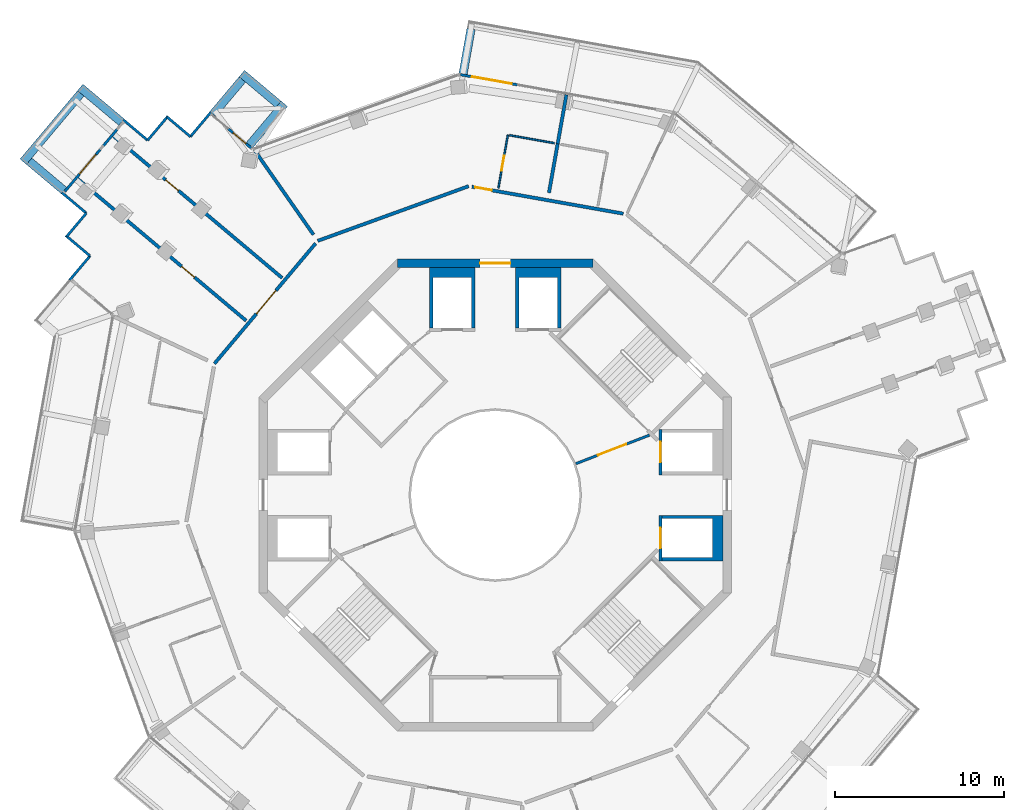
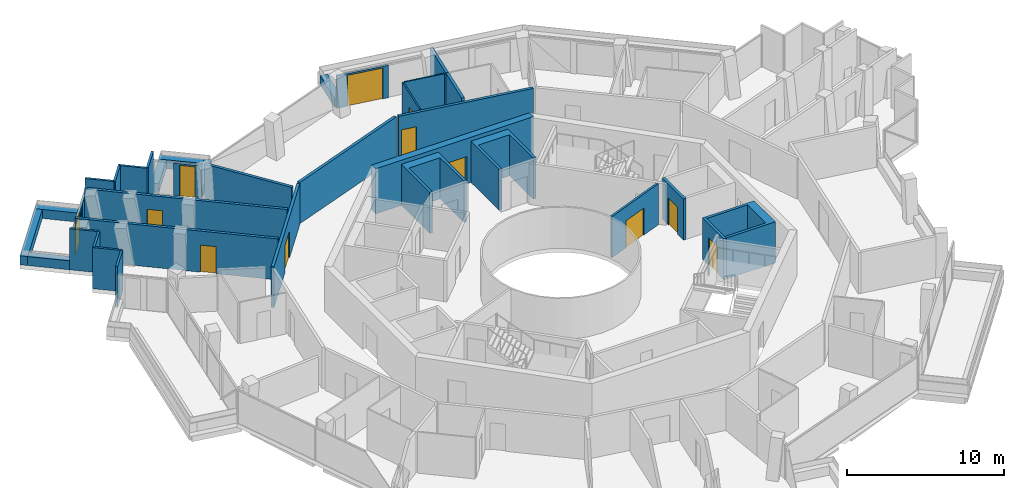
# One storey, part 17 of 22: 36 walls, 12 doors, 12 openings.
"""IFC4 building model written with IfcOpenShell, lengths in metres."""

from ifc_helpers import new_model, si_unit, direction, frame, frame_2d, origin, place, context, subcontext, project, spatial, polyline, rectangle, outline, extrude, material, layer, layer_set, type_object, element, fill, save


model = new_model("IFC4")

# Units and contexts
model_context = context("Model", 3, precision=1e-05, world=origin(), true_north=direction((0.0, 1.0)))
body_context = subcontext(model_context, "Body", "Model", "MODEL_VIEW")
ifc_project = project(units=[si_unit("LENGTHUNIT", "METRE"), si_unit("AREAUNIT", "SQUARE_METRE"), si_unit("VOLUMEUNIT", "CUBIC_METRE"), si_unit("PLANEANGLEUNIT", "RADIAN"), si_unit("MASSUNIT", "GRAM", prefix="KILO")], contexts=[model_context])

# Site, building, storey
site_placement = place(None, origin())
site = spatial("IfcSite", under=ifc_project, at=site_placement, CompositionType="ELEMENT")
building_placement = place(site_placement, origin())
building = spatial("IfcBuilding", under=site, at=building_placement, Name="Verdalira Terraces Hotel", CompositionType="ELEMENT")
storey_placement = place(building_placement, frame((0.0, 0.0, 237.5)))
storey = spatial("IfcBuildingStorey", under=building, at=storey_placement, Name="L58", CompositionType="ELEMENT", Elevation=237.5)

# Walls
ifc_material_1 = material(Name="Concrete C40", Category="concrete")
ifc_layer_1 = layer(ifc_material_1, 0.5)
ifc_layer_set_1 = layer_set([ifc_layer_1], Name="Balcony planter trough with tree")
wall_type_1 = type_object("IfcWallType", Name="Balcony planter trough with tree", PredefinedType="SOLIDWALL", material=ifc_layer_set_1)
wall_1_placement = place(storey_placement, frame((-22.163086, 22.113037, 0.0), z_axis=(0.0, 0.0, 1.0), x_axis=(-0.765103138, 0.643907748, 0.0)))
element("IfcWall", 1, at=wall_1_placement, inside=storey, type_object=wall_type_1, Name="Balcony planter", PredefinedType="SOLIDWALL", context=body_context, shape_type="SweptSolid", body=[
    extrude(rectangle(XDim=3.198975, YDim=0.5, at=frame_2d((1.599609, 0.0))), origin(), (0.0, 0.0, 1.0), 0.699951),
])
wall_2_placement = place(storey_placement, frame((-24.580322, 23.820557, 0.0), z_axis=(0.0, 0.0, 1.0), x_axis=(-0.643856249, -0.765146476, 0.0)))
element("IfcWall", 2, at=wall_2_placement, inside=storey, type_object=wall_type_1, Name="Balcony planter", PredefinedType="SOLIDWALL", context=body_context, shape_type="SweptSolid", body=[
    extrude(rectangle(XDim=5.299805, YDim=0.5, at=frame_2d((2.649902, 0.0))), origin(), (0.0, 0.0, 1.0), 0.699951),
])
wall_3_placement = place(storey_placement, frame((-27.640625, 19.795654, 0.0), z_axis=(0.0, 0.0, 1.0), x_axis=(0.765150401, -0.643851585, 0.0)))
element("IfcWall", 3, at=wall_3_placement, inside=storey, type_object=wall_type_1, Name="Balcony planter", PredefinedType="SOLIDWALL", context=body_context, shape_type="SweptSolid", body=[
    extrude(rectangle(XDim=2.698975, YDim=0.5, at=frame_2d((1.349609, 0.0))), origin(), (0.0, 0.0, 1.0), 0.699951),
])
wall_4_placement = place(storey_placement, frame((-1.435303, 27.635986, 0.0), z_axis=(0.0, 0.0, 1.0), x_axis=(-0.174951491, -0.984577054, 0.0)))
element("IfcWall", 4, at=wall_4_placement, inside=storey, type_object=wall_type_1, Name="Balcony planter", PredefinedType="SOLIDWALL", context=body_context, shape_type="SweptSolid", body=[
    extrude(rectangle(XDim=2.69873, YDim=0.5, at=frame_2d((1.349365, 0.0))), origin(), (0.0, 0.0, 1.0), 0.699951),
])
wall_5_placement = place(storey_placement, frame((-14.56665, 20.75415, 0.0), z_axis=(0.0, 0.0, 1.0), x_axis=(0.643863069, 0.765140738, 0.0)))
element("IfcWall", 5, at=wall_5_placement, inside=storey, type_object=wall_type_1, Name="Balcony planter", PredefinedType="SOLIDWALL", context=body_context, shape_type="SweptSolid", body=[
    extrude(rectangle(XDim=3.19873, YDim=0.5, at=frame_2d((1.599365, 0.0))), origin(), (0.0, 0.0, 1.0), 0.699951),
])
wall_6_placement = place(storey_placement, frame((-12.859375, 23.171387, 0.0), z_axis=(0.0, 0.0, 1.0), x_axis=(-0.765143293, 0.643860033, 0.0)))
element("IfcWall", 6, at=wall_6_placement, inside=storey, type_object=wall_type_1, Name="Balcony planter", PredefinedType="SOLIDWALL", context=body_context, shape_type="SweptSolid", body=[
    extrude(rectangle(XDim=2.836182, YDim=0.5, at=frame_2d((1.417969, 0.0))), origin(), (0.0, 0.0, 1.0), 0.699951),
])
wall_7_placement = place(storey_placement, frame((-14.999023, 24.645264, 0.0), z_axis=(0.0, 0.0, 1.0), x_axis=(-0.643896148, -0.7651129, 0.0)))
element("IfcWall", 7, at=wall_7_placement, inside=storey, type_object=wall_type_1, Name="Balcony planter", PredefinedType="SOLIDWALL", context=body_context, shape_type="SweptSolid", body=[
    extrude(rectangle(XDim=2.698975, YDim=0.5, at=frame_2d((1.349609, 0.0))), origin(), (0.0, 0.0, 1.0), 0.699951),
])

# Wall, opening, door
ifc_material_2 = material(Name="Moisture-resistant gypsum board partition")
ifc_layer_2 = layer(ifc_material_2, 0.10009765625)
ifc_layer_set_2 = layer_set([ifc_layer_2], Name="Bathroom partition 100 mm")
wall_type_2 = type_object("IfcWallType", Name="Bathroom partition 100 mm", PredefinedType="PARTITIONING", material=ifc_layer_set_2)
wall_8_placement = place(storey_placement, frame((0.749512, 21.356689, 0.0), z_axis=(0.0, 0.0, 1.0), x_axis=(-0.175030048, -0.984563092, 0.0)))
wall_8 = element("IfcWall", 8, at=wall_8_placement, inside=storey, type_object=wall_type_2, Name="Bathroom partition", PredefinedType="PARTITIONING", context=body_context, shape_type="SweptSolid", body=[
    extrude(rectangle(XDim=3.199707, YDim=0.100098, at=frame_2d((1.599854, 0.0))), origin(), (0.0, 0.0, 1.0), 3.189941),
])
opening_1_placement = place(wall_8_placement, frame((1.25, 0.0, 0.0)))
opening_1 = element("IfcOpeningElement", 9, at=opening_1_placement, cuts=wall_8, Name="Opening L58-128", PredefinedType="OPENING", context=body_context, shape_type="SweptSolid", body=[
    extrude(rectangle(XDim=0.899902, YDim=2.100098, at=frame_2d((0.449951, 1.050049))), frame((0.0, 0.060059, 0.0), z_axis=(0.0, -1.0, 0.0), x_axis=(1.0, 0.0, 0.0)), (0.0, 0.0, 1.0), 0.120117),
])
ifc_material_3 = material(Name="Timber door", Category="wood")
door_type_1 = type_object("IfcDoorType", Name="Bathroom door 900 x 2100", OperationType="NOTDEFINED", PredefinedType="DOOR", material=ifc_material_3)
door_1_placement = place(opening_1_placement, origin())
door_1 = element("IfcDoor", 10, at=door_1_placement, inside=storey, type_object=door_type_1, Name="Bathroom door 5810", OperationType="SINGLE_SWING_LEFT", OverallHeight=2.10009765625, OverallWidth=0.89990234375, PredefinedType="DOOR", context=body_context, shape_type="SweptSolid", body=[
    extrude(rectangle(XDim=0.899902, YDim=2.100098, at=frame_2d((0.449951, 1.050049))), frame((0.0, 0.024902, 0.0), z_axis=(0.0, -1.0, 0.0), x_axis=(1.0, 0.0, 0.0)), (0.0, 0.0, 1.0), 0.050049),
])
fill(opening_1, door_1)

# Walls
wall_9_placement = place(storey_placement, frame((0.8479, 21.339355, 0.0), z_axis=(0.0, 0.0, 1.0), x_axis=(0.984559738, -0.175048917, 0.0)))
element("IfcWall", 11, at=wall_9_placement, inside=storey, type_object=wall_type_2, Name="Bathroom partition", PredefinedType="PARTITIONING", context=body_context, shape_type="SweptSolid", body=[
    extrude(rectangle(XDim=2.700195, YDim=0.100098, at=frame_2d((1.350098, 0.0))), origin(), (0.0, 0.0, 1.0), 3.189941),
])
ifc_material_4 = material(Name="Concrete C50", Category="concrete")
ifc_layer_3 = layer(ifc_material_4, 0.199951171875)
ifc_layer_set_3 = layer_set([ifc_layer_3], Name="Core RC wall 200 C50")
wall_type_3 = type_object("IfcWallType", Name="Core RC wall 200 C50", PredefinedType="SOLIDWALL", material=ifc_layer_set_3)
wall_10_placement = place(storey_placement, origin())
element("IfcWall", 12, at=wall_10_placement, inside=storey, type_object=wall_type_3, Name="L58 shaft wall E1", PredefinedType="SOLIDWALL", context=body_context, shape_type="SweptSolid", body=[
    extrude(outline(polyline([(13.5, -3.899902), (9.899902, -3.899902), (9.899902, -3.699951), (12.899902, -3.699951), (12.899902, -1.399902), (9.899902, -1.399902), (9.899902, -1.199951), (13.5, -1.199951), (13.5, -3.899902)])), origin(), (0.0, 0.0, 1.0), 3.189941),
])

# Wall, opening, door
wall_11_placement = place(storey_placement, frame((9.800049, -1.199951, 0.0), z_axis=(0.0, 0.0, 1.0), x_axis=(0.0, -1.0, 0.0)))
wall_11 = element("IfcWall", 13, at=wall_11_placement, inside=storey, type_object=wall_type_3, Name="L58 shaft front wall E1", PredefinedType="SOLIDWALL", context=body_context, shape_type="SweptSolid", body=[
    extrude(rectangle(XDim=2.699951, YDim=0.199951, at=frame_2d((1.350098, 0.0))), origin(), (0.0, 0.0, 1.0), 3.189941),
])
opening_2_placement = place(wall_11_placement, frame((0.75, 0.0, 0.0)))
opening_2 = element("IfcOpeningElement", 14, at=opening_2_placement, cuts=wall_11, Name="Opening LD-L58-802", PredefinedType="OPENING", context=body_context, shape_type="SweptSolid", body=[
    extrude(rectangle(XDim=1.199951, YDim=2.100098, at=frame_2d((0.600098, 1.050049))), frame((0.0, 0.109863, 0.0), z_axis=(0.0, -1.0, 0.0), x_axis=(1.0, 0.0, 0.0)), (0.0, 0.0, 1.0), 0.219971),
])
ifc_material_5 = material(Name="Stainless steel", Category="steel")
door_type_2 = type_object("IfcDoorType", Name="Landing door 1200 x 2100", OperationType="NOTDEFINED", PredefinedType="DOOR", material=ifc_material_5)
door_2_placement = place(opening_2_placement, origin())
door_2 = element("IfcDoor", 15, at=door_2_placement, inside=storey, type_object=door_type_2, Name="Lift landing door HR1 L58", OperationType="DOUBLE_DOOR_SLIDING", OverallHeight=2.10009765625, OverallWidth=1.199951171875, PredefinedType="DOOR", context=body_context, shape_type="SweptSolid", body=[
    extrude(rectangle(XDim=1.199951, YDim=2.100098, at=frame_2d((0.600098, 1.050049))), frame((0.0, 0.024902, 0.0), z_axis=(0.0, -1.0, 0.0), x_axis=(1.0, 0.0, 0.0)), (0.0, 0.0, 1.0), 0.050049),
])
fill(opening_2, door_2)

wall_12_placement = place(storey_placement, frame((9.800049, 1.199951, 0.0), z_axis=(0.0, 0.0, 1.0), x_axis=(0.0, 1.0, 0.0)))
wall_12 = element("IfcWall", 16, at=wall_12_placement, inside=storey, type_object=wall_type_3, Name="L58 shaft front wall E2", PredefinedType="SOLIDWALL", context=body_context, shape_type="SweptSolid", body=[
    extrude(rectangle(XDim=2.699951, YDim=0.199951, at=frame_2d((1.350098, 0.0))), origin(), (0.0, 0.0, 1.0), 3.189941),
])
opening_3_placement = place(wall_12_placement, frame((0.75, 0.0, 0.0)))
opening_3 = element("IfcOpeningElement", 17, at=opening_3_placement, cuts=wall_12, Name="Opening LD-L58-803", PredefinedType="OPENING", context=body_context, shape_type="SweptSolid", body=[
    extrude(rectangle(XDim=1.199951, YDim=2.100098, at=frame_2d((0.600098, 1.050049))), frame((0.0, 0.109863, 0.0), z_axis=(0.0, -1.0, 0.0), x_axis=(1.0, 0.0, 0.0)), (0.0, 0.0, 1.0), 0.219971),
])
door_3_placement = place(opening_3_placement, origin())
door_3 = element("IfcDoor", 18, at=door_3_placement, inside=storey, type_object=door_type_2, Name="Lift landing door HR2 L58", OperationType="DOUBLE_DOOR_SLIDING", OverallHeight=2.10009765625, OverallWidth=1.199951171875, PredefinedType="DOOR", context=body_context, shape_type="SweptSolid", body=[
    extrude(rectangle(XDim=1.199951, YDim=2.100098, at=frame_2d((0.600098, 1.050049))), frame((0.0, 0.024902, 0.0), z_axis=(0.0, -1.0, 0.0), x_axis=(1.0, 0.0, 0.0)), (0.0, 0.0, 1.0), 0.050049),
])
fill(opening_3, door_3)

# Walls
wall_13_placement = place(storey_placement, origin())
element("IfcWall", 19, at=wall_13_placement, inside=storey, type_object=wall_type_3, Name="L58 shaft wall N1", PredefinedType="SOLIDWALL", context=body_context, shape_type="SweptSolid", body=[
    extrude(outline(polyline([(3.899902, 9.899902), (3.699951, 9.899902), (3.699951, 12.899902), (1.399902, 12.899902), (1.399902, 9.899902), (1.199951, 9.899902), (1.199951, 13.5), (3.899902, 13.5), (3.899902, 9.899902)])), origin(), (0.0, 0.0, 1.0), 3.189941),
])
wall_14_placement = place(storey_placement, origin())
element("IfcWall", 20, at=wall_14_placement, inside=storey, type_object=wall_type_3, Name="L58 shaft wall N2", PredefinedType="SOLIDWALL", context=body_context, shape_type="SweptSolid", body=[
    extrude(outline(polyline([(-3.899902, 13.5), (-1.199951, 13.5), (-1.199951, 9.899902), (-1.399902, 9.899902), (-1.399902, 12.899902), (-3.699951, 12.899902), (-3.699951, 9.899902), (-3.899902, 9.899902), (-3.899902, 13.5)])), origin(), (0.0, 0.0, 1.0), 3.189941),
])

# Wall, opening, door
ifc_material_6 = material(Name="Gypsum board partition")
ifc_layer_4 = layer(ifc_material_6, 0.14990234375)
ifc_layer_set_4 = layer_set([ifc_layer_4], Name="Core partition 150 mm")
wall_type_4 = type_object("IfcWallType", Name="Core partition 150 mm", PredefinedType="PARTITIONING", material=ifc_layer_set_4)
wall_15_placement = place(storey_placement, frame((4.781982, 1.857178, 0.0), z_axis=(0.0, 0.0, 1.0), x_axis=(0.932155279, 0.362058746, 0.0)))
wall_15 = element("IfcWall", 21, at=wall_15_placement, inside=storey, type_object=wall_type_4, Name="Gallery fire partition L58", PredefinedType="PARTITIONING", context=body_context, shape_type="SweptSolid", body=[
    extrude(rectangle(XDim=4.682373, YDim=0.149902, at=frame_2d((2.341309, 0.0))), origin(), (0.0, 0.0, 1.0), 3.189941),
])
opening_4_placement = place(wall_15_placement, frame((1.399902, 0.0, 0.0)))
opening_4 = element("IfcOpeningElement", 22, at=opening_4_placement, cuts=wall_15, Name="Opening L58-824", PredefinedType="OPENING", context=body_context, shape_type="SweptSolid", body=[
    extrude(rectangle(XDim=1.800049, YDim=2.100098, at=frame_2d((0.899902, 1.050049))), frame((0.0, 0.084961, 0.0), z_axis=(0.0, -1.0, 0.0), x_axis=(1.0, 0.0, 0.0)), (0.0, 0.0, 1.0), 0.169922),
])
ifc_material_7 = material(Name="Steel fire door", Category="steel")
door_type_3 = type_object("IfcDoorType", Name="Gallery fire door pair 1800 x 2100", OperationType="NOTDEFINED", PredefinedType="DOOR", material=ifc_material_7)
door_4_placement = place(opening_4_placement, origin())
door_4 = element("IfcDoor", 23, at=door_4_placement, inside=storey, type_object=door_type_3, Name="Door L58 split0", OperationType="DOUBLE_DOOR_SINGLE_SWING", OverallHeight=2.10009765625, OverallWidth=1.800048828125, PredefinedType="DOOR", context=body_context, shape_type="SweptSolid", body=[
    extrude(rectangle(XDim=1.800049, YDim=2.100098, at=frame_2d((0.899902, 1.050049))), frame((0.0, 0.024902, 0.0), z_axis=(0.0, -1.0, 0.0), x_axis=(1.0, 0.0, 0.0)), (0.0, 0.0, 1.0), 0.050049),
])
fill(opening_4, door_4)

ifc_material_8 = material(Name="Concrete C50", Category="concrete")
ifc_layer_5 = layer(ifc_material_8, 0.5)
ifc_layer_set_5 = layer_set([ifc_layer_5], Name="Core wall 500 C50")
wall_type_5 = type_object("IfcWallType", Name="Core wall 500 C50", PredefinedType="SHEAR", material=ifc_layer_set_5)
wall_16_placement = place(storey_placement, frame((5.799072, 13.75, 0.0), z_axis=(0.0, 0.0, 1.0), x_axis=(-1.0, 0.0, 0.0)))
wall_16 = element("IfcWall", 24, at=wall_16_placement, inside=storey, type_object=wall_type_5, Name="Core wall CW-L58-3", PredefinedType="SHEAR", context=body_context, shape_type="SweptSolid", body=[
    extrude(rectangle(XDim=11.598145, YDim=0.5, at=frame_2d((5.799072, 0.0))), origin(), (0.0, 0.0, 1.0), 3.5),
])
opening_5_placement = place(wall_16_placement, frame((4.898926, 0.0, 0.0)))
opening_5 = element("IfcOpeningElement", 25, at=opening_5_placement, cuts=wall_16, Name="Opening L58-814", PredefinedType="OPENING", context=body_context, shape_type="SweptSolid", body=[
    extrude(rectangle(XDim=1.800049, YDim=2.100098, at=frame_2d((0.899902, 1.050049))), frame((0.0, 0.26001, 0.0), z_axis=(0.0, -1.0, 0.0), x_axis=(1.0, 0.0, 0.0)), (0.0, 0.0, 1.0), 0.52002),
])
ifc_material_9 = material(Name="Steel fire door", Category="steel")
door_type_4 = type_object("IfcDoorType", Name="Core entry door pair 1800 x 2100", OperationType="NOTDEFINED", PredefinedType="DOOR", material=ifc_material_9)
door_5_placement = place(opening_5_placement, origin())
door_5 = element("IfcDoor", 26, at=door_5_placement, inside=storey, type_object=door_type_4, Name="Core entry door L58 2", OperationType="DOUBLE_DOOR_SINGLE_SWING", OverallHeight=2.10009765625, OverallWidth=1.800048828125, PredefinedType="DOOR", context=body_context, shape_type="SweptSolid", body=[
    extrude(rectangle(XDim=1.800049, YDim=2.100098, at=frame_2d((0.899902, 1.050049))), frame((0.0, 0.024902, 0.0), z_axis=(0.0, -1.0, 0.0), x_axis=(1.0, 0.0, 0.0)), (0.0, 0.0, 1.0), 0.050049),
])
fill(opening_5, door_5)

ifc_material_10 = material(Name="Fire-rated gypsum board wall")
ifc_layer_6 = layer(ifc_material_10, 0.199951171875)
ifc_layer_set_6 = layer_set([ifc_layer_6], Name="Demising wall 200 mm")
wall_type_6 = type_object("IfcWallType", Name="Demising wall 200 mm", PredefinedType="SOLIDWALL", material=ifc_layer_set_6)
wall_17_placement = place(storey_placement, frame((-14.770996, 10.338379, 0.0), z_axis=(0.0, 0.0, 1.0), x_axis=(-0.765135633, 0.643869135, 0.0)))
wall_17 = element("IfcWall", 27, at=wall_17_placement, inside=storey, type_object=wall_type_6, Name="Demising wall", PredefinedType="SOLIDWALL", context=body_context, shape_type="SweptSolid", body=[
    extrude(rectangle(XDim=13.086182, YDim=0.199951, at=frame_2d((6.542969, 0.0))), origin(), (0.0, 0.0, 1.0), 3.189941),
])
opening_6_placement = place(wall_17_placement, frame((4.0, 0.0, 0.0)))
opening_6 = element("IfcOpeningElement", 28, at=opening_6_placement, cuts=wall_17, Name="Opening L58-103", PredefinedType="OPENING", context=body_context, shape_type="SweptSolid", body=[
    extrude(rectangle(XDim=1.0, YDim=2.100098, at=frame_2d((0.5, 1.050049))), frame((0.0, 0.109863, 0.0), z_axis=(0.0, -1.0, 0.0), x_axis=(1.0, 0.0, 0.0)), (0.0, 0.0, 1.0), 0.219971),
])
ifc_material_11 = material(Name="Timber fire door", Category="wood")
door_type_5 = type_object("IfcDoorType", Name="Public room door 1000 x 2100", OperationType="NOTDEFINED", PredefinedType="DOOR", material=ifc_material_11)
door_6_placement = place(opening_6_placement, origin())
door_6 = element("IfcDoor", 29, at=door_6_placement, inside=storey, type_object=door_type_5, Name="Public room door 5801", OperationType="SINGLE_SWING_LEFT", OverallHeight=2.10009765625, OverallWidth=1.0, PredefinedType="DOOR", context=body_context, shape_type="SweptSolid", body=[
    extrude(rectangle(XDim=1.0, YDim=2.100098, at=frame_2d((0.5, 1.050049))), frame((0.0, 0.024902, 0.0), z_axis=(0.0, -1.0, 0.0), x_axis=(1.0, 0.0, 0.0)), (0.0, 0.0, 1.0), 0.050049),
])
fill(opening_6, door_6)

wall_18_placement = place(storey_placement, frame((-22.649658, 21.300293, 0.0), z_axis=(0.0, 0.0, 1.0), x_axis=(0.765152558, -0.643849022, 0.0)))
wall_18 = element("IfcWall", 30, at=wall_18_placement, inside=storey, type_object=wall_type_6, Name="Demising wall", PredefinedType="SOLIDWALL", context=body_context, shape_type="SweptSolid", body=[
    extrude(rectangle(XDim=13.086182, YDim=0.199951, at=frame_2d((6.542969, 0.0))), origin(), (0.0, 0.0, 1.0), 3.189941),
])
opening_7_placement = place(wall_18_placement, frame((4.050049, 0.0, 0.0)))
opening_7 = element("IfcOpeningElement", 31, at=opening_7_placement, cuts=wall_18, Name="Opening L58-102", PredefinedType="OPENING", context=body_context, shape_type="SweptSolid", body=[
    extrude(rectangle(XDim=1.0, YDim=2.100098, at=frame_2d((0.5, 1.050049))), frame((0.0, 0.109863, 0.0), z_axis=(0.0, -1.0, 0.0), x_axis=(1.0, 0.0, 0.0)), (0.0, 0.0, 1.0), 0.219971),
])
door_7_placement = place(opening_7_placement, origin())
door_7 = element("IfcDoor", 32, at=door_7_placement, inside=storey, type_object=door_type_5, Name="Public room door 5801", OperationType="SINGLE_SWING_LEFT", OverallHeight=2.10009765625, OverallWidth=1.0, PredefinedType="DOOR", context=body_context, shape_type="SweptSolid", body=[
    extrude(rectangle(XDim=1.0, YDim=2.100098, at=frame_2d((0.5, 1.050049))), frame((0.0, 0.024902, 0.0), z_axis=(0.0, -1.0, 0.0), x_axis=(1.0, 0.0, 0.0)), (0.0, 0.0, 1.0), 0.050049),
])
fill(opening_7, door_7)

# Walls
wall_19_placement = place(storey_placement, frame((3.186279, 17.924561, 0.0), z_axis=(0.0, 0.0, 1.0), x_axis=(0.175035116, 0.984562191, 0.0)))
element("IfcWall", 33, at=wall_19_placement, inside=storey, type_object=wall_type_6, Name="Demising wall", PredefinedType="SOLIDWALL", context=body_context, shape_type="SweptSolid", body=[
    extrude(rectangle(XDim=2.952881, YDim=0.199951, at=frame_2d((1.476562, 0.0))), origin(), (0.0, 0.0, 1.0), 3.189941),
])
wall_20_placement = place(storey_placement, frame((3.703125, 20.831787, 0.0), z_axis=(0.0, 0.0, 1.0), x_axis=(0.175045815, 0.984560289, 0.0)))
element("IfcWall", 34, at=wall_20_placement, inside=storey, type_object=wall_type_6, Name="Demising wall", PredefinedType="SOLIDWALL", context=body_context, shape_type="SweptSolid", body=[
    extrude(rectangle(XDim=2.949951, YDim=0.199951, at=frame_2d((1.475098, 0.0))), origin(), (0.0, 0.0, 1.0), 3.189941),
])
ifc_material_12 = material(Name="Fire-rated gypsum board wall")
ifc_layer_7 = layer(ifc_material_12, 0.199951171875)
ifc_layer_set_7 = layer_set([ifc_layer_7], Name="Demising wall 200 mm to beam soffit")
wall_type_7 = type_object("IfcWallType", Name="Demising wall 200 mm to beam soffit", PredefinedType="SOLIDWALL", material=ifc_layer_set_7)
wall_21_placement = place(storey_placement, frame((-14.290283, 20.469238, 0.0), z_axis=(0.0, 0.0, 1.0), x_axis=(0.572451851, -0.819938338, 0.0)))
element("IfcWall", 35, at=wall_21_placement, inside=storey, type_object=wall_type_7, Name="Demising wall", PredefinedType="SOLIDWALL", context=body_context, shape_type="SweptSolid", body=[
    extrude(rectangle(XDim=6.13208, YDim=0.199951, at=frame_2d((3.065918, 0.0))), origin(), (0.0, 0.0, 1.0), 2.689941),
])

# Wall, opening, door
ifc_material_13 = material(Name="Fire-rated gypsum board wall")
ifc_layer_8 = layer(ifc_material_13, 0.199951171875)
ifc_layer_set_8 = layer_set([ifc_layer_8], Name="Guest corridor wall 200 mm")
wall_type_8 = type_object("IfcWallType", Name="Guest corridor wall 200 mm", PredefinedType="SOLIDWALL", material=ifc_layer_set_8)
wall_22_placement = place(storey_placement, frame((-16.651367, 7.792969, 0.0), z_axis=(0.0, 0.0, 1.0), x_axis=(0.64385004, 0.765151702, 0.0)))
wall_22 = element("IfcWall", 36, at=wall_22_placement, inside=storey, type_object=wall_type_8, Name="Guest corridor wall", PredefinedType="SOLIDWALL", context=body_context, shape_type="SweptSolid", body=[
    extrude(rectangle(XDim=9.31665, YDim=0.199951, at=frame_2d((4.658203, 0.0))), origin(), (0.0, 0.0, 1.0), 3.189941),
])
opening_8_placement = place(wall_22_placement, frame((3.858398, 0.0, 0.0)))
opening_8 = element("IfcOpeningElement", 37, at=opening_8_placement, cuts=wall_22, Name="Opening L58-101", PredefinedType="OPENING", context=body_context, shape_type="SweptSolid", body=[
    extrude(rectangle(XDim=1.800049, YDim=2.100098, at=frame_2d((0.899902, 1.050049))), frame((0.0, 0.109863, 0.0), z_axis=(0.0, -1.0, 0.0), x_axis=(1.0, 0.0, 0.0)), (0.0, 0.0, 1.0), 0.219971),
])
ifc_material_14 = material(Name="Timber fire door", Category="wood")
door_type_6 = type_object("IfcDoorType", Name="Public room double door 1800 x 2100", OperationType="NOTDEFINED", PredefinedType="DOOR", material=ifc_material_14)
door_8_placement = place(opening_8_placement, origin())
door_8 = element("IfcDoor", 38, at=door_8_placement, inside=storey, type_object=door_type_6, Name="Public room double door 5801", OperationType="DOUBLE_DOOR_SINGLE_SWING", OverallHeight=2.10009765625, OverallWidth=1.800048828125, PredefinedType="DOOR", context=body_context, shape_type="SweptSolid", body=[
    extrude(rectangle(XDim=1.800049, YDim=2.100098, at=frame_2d((0.899902, 1.050049))), frame((0.0, 0.024902, 0.0), z_axis=(0.0, -1.0, 0.0), x_axis=(1.0, 0.0, 0.0)), (0.0, 0.0, 1.0), 0.050049),
])
fill(opening_8, door_8)

# Wall
wall_23_placement = place(storey_placement, frame((-1.577393, 18.316895, 0.0), z_axis=(0.0, 0.0, 1.0), x_axis=(-0.940167401, -0.340712869, 0.0)))
element("IfcWall", 39, at=wall_23_placement, inside=storey, type_object=wall_type_8, Name="Guest corridor wall", PredefinedType="SOLIDWALL", context=body_context, shape_type="SweptSolid", body=[
    extrude(rectangle(XDim=9.515869, YDim=0.199951, at=frame_2d((4.757812, 0.0))), origin(), (0.0, 0.0, 1.0), 3.189941),
])

# Wall, opening, door
wall_24_placement = place(storey_placement, frame((-1.379395, 18.281982, 0.0), z_axis=(0.0, 0.0, 1.0), x_axis=(0.984561687, -0.17503795, 0.0)))
wall_24 = element("IfcWall", 40, at=wall_24_placement, inside=storey, type_object=wall_type_8, Name="Guest corridor wall", PredefinedType="SOLIDWALL", context=body_context, shape_type="SweptSolid", body=[
    extrude(rectangle(XDim=9.116211, YDim=0.199951, at=frame_2d((4.558105, 0.0))), origin(), (0.0, 0.0, 1.0), 3.189941),
])
opening_9_placement = place(wall_24_placement, frame((0.199951, 0.0, 0.0)))
opening_9 = element("IfcOpeningElement", 41, at=opening_9_placement, cuts=wall_24, Name="Opening L58-127", PredefinedType="OPENING", context=body_context, shape_type="SweptSolid", body=[
    extrude(rectangle(XDim=1.0, YDim=2.100098, at=frame_2d((0.5, 1.050049))), frame((0.0, 0.109863, 0.0), z_axis=(0.0, -1.0, 0.0), x_axis=(1.0, 0.0, 0.0)), (0.0, 0.0, 1.0), 0.219971),
])
ifc_material_15 = material(Name="Timber fire door", Category="wood")
door_type_7 = type_object("IfcDoorType", Name="Guest entry door 1000 x 2100", OperationType="NOTDEFINED", PredefinedType="DOOR", material=ifc_material_15)
door_9_placement = place(opening_9_placement, origin())
door_9 = element("IfcDoor", 42, at=door_9_placement, inside=storey, type_object=door_type_7, Name="Guest entry door 5810", OperationType="SINGLE_SWING_LEFT", OverallHeight=2.10009765625, OverallWidth=1.0, PredefinedType="DOOR", context=body_context, shape_type="SweptSolid", body=[
    extrude(rectangle(XDim=1.0, YDim=2.100098, at=frame_2d((0.5, 1.050049))), frame((0.0, 0.024902, 0.0), z_axis=(0.0, -1.0, 0.0), x_axis=(1.0, 0.0, 0.0)), (0.0, 0.0, 1.0), 0.050049),
])
fill(opening_9, door_9)

# Walls
ifc_material_16 = material(Name="Terracotta cladding", Category="masonry")
ifc_layer_9 = layer(ifc_material_16, 0.14990234375)
ifc_layer_set_9 = layer_set([ifc_layer_9], Name="Terracotta clad wall 150")
wall_type_9 = type_object("IfcWallType", Name="Terracotta clad wall 150", PredefinedType="SOLIDWALL", material=ifc_layer_set_9)
wall_25_placement = place(storey_placement, frame((-16.871338, 22.692139, 0.0), z_axis=(0.0, 0.0, 1.0), x_axis=(-0.64389112, -0.765117132, 0.0)))
element("IfcWall", 43, at=wall_25_placement, inside=storey, type_object=wall_type_9, Name="Terracotta cladding wall", PredefinedType="SOLIDWALL", context=body_context, shape_type="SweptSolid", body=[
    extrude(rectangle(XDim=1.875, YDim=0.149902, at=frame_2d((0.9375, 0.0))), origin(), (0.0, 0.0, 1.0), 3.189941),
])
wall_26_placement = place(storey_placement, frame((-18.078613, 21.257568, 0.0), z_axis=(0.0, 0.0, 1.0), x_axis=(-0.765188969, 0.643805749, 0.0)))
element("IfcWall", 44, at=wall_26_placement, inside=storey, type_object=wall_type_9, Name="Terracotta cladding wall", PredefinedType="SOLIDWALL", context=body_context, shape_type="SweptSolid", body=[
    extrude(rectangle(XDim=1.800049, YDim=0.149902, at=frame_2d((0.899902, 0.0))), origin(), (0.0, 0.0, 1.0), 3.189941),
])
wall_27_placement = place(storey_placement, frame((-19.407715, 22.473877, 0.0), z_axis=(0.0, 0.0, 1.0), x_axis=(-0.643826975, -0.765171109, 0.0)))
element("IfcWall", 45, at=wall_27_placement, inside=storey, type_object=wall_type_9, Name="Terracotta cladding wall", PredefinedType="SOLIDWALL", context=body_context, shape_type="SweptSolid", body=[
    extrude(rectangle(XDim=1.875244, YDim=0.149902, at=frame_2d((0.9375, 0.0))), origin(), (0.0, 0.0, 1.0), 3.189941),
])
for number, where, z_axis, x_axis, name in (
    (46, (-20.61499, 21.039062, 0.0), (0.0, 0.0, 1.0), (-0.765117132, 0.64389112, 0.0), "Terracotta cladding wall"),
    (47, (-25.687256, 17.92334, 0.0), (0.0, 0.0, 1.0), (0.765117132, -0.64389112, 0.0), "Terracotta cladding wall"),
):
    element("IfcWall", number, at=place(storey_placement, frame(where, z_axis=z_axis, x_axis=x_axis)), inside=storey, type_object=wall_type_9, Name=name, PredefinedType="SOLIDWALL", context=body_context, shape_type="SweptSolid", body=[
        extrude(rectangle(XDim=1.875, YDim=0.149902, at=frame_2d((0.9375, 0.0))), origin(), (0.0, 0.0, 1.0), 3.189941),
    ])
wall_28_placement = place(storey_placement, frame((-24.252686, 16.716064, 0.0), z_axis=(0.0, 0.0, 1.0), x_axis=(-0.643872566, -0.765132746, 0.0)))
element("IfcWall", 48, at=wall_28_placement, inside=storey, type_object=wall_type_9, Name="Terracotta cladding wall", PredefinedType="SOLIDWALL", context=body_context, shape_type="SweptSolid", body=[
    extrude(rectangle(XDim=1.800049, YDim=0.149902, at=frame_2d((0.899902, 0.0))), origin(), (0.0, 0.0, 1.0), 3.189941),
])
wall_29_placement = place(storey_placement, frame((-25.468994, 15.387207, 0.0), z_axis=(0.0, 0.0, 1.0), x_axis=(0.765117132, -0.64389112, 0.0)))
element("IfcWall", 49, at=wall_29_placement, inside=storey, type_object=wall_type_9, Name="Terracotta cladding wall", PredefinedType="SOLIDWALL", context=body_context, shape_type="SweptSolid", body=[
    extrude(rectangle(XDim=1.875, YDim=0.149902, at=frame_2d((0.9375, 0.0))), origin(), (0.0, 0.0, 1.0), 3.189941),
])
wall_30_placement = place(storey_placement, frame((-24.034424, 14.179932, 0.0), z_axis=(0.0, 0.0, 1.0), x_axis=(-0.643826975, -0.765171109, 0.0)))
element("IfcWall", 50, at=wall_30_placement, inside=storey, type_object=wall_type_9, Name="Terracotta cladding wall", PredefinedType="SOLIDWALL", context=body_context, shape_type="SweptSolid", body=[
    extrude(rectangle(XDim=1.875244, YDim=0.149902, at=frame_2d((0.9375, 0.0))), origin(), (0.0, 0.0, 1.0), 3.189941),
])
ifc_material_17 = material(Name="Terracotta cladding", Category="masonry")
ifc_layer_10 = layer(ifc_material_17, 0.14990234375)
ifc_layer_set_10 = layer_set([ifc_layer_10], Name="Terracotta column pier 150")
wall_type_10 = type_object("IfcWallType", Name="Terracotta column pier 150", PredefinedType="SOLIDWALL", material=ifc_layer_set_10)
wall_31_placement = place(storey_placement, frame((-22.42041, 21.689209, 0.0), z_axis=(0.0, 0.0, 1.0), x_axis=(-0.643815345, -0.765180895, 0.0)))
element("IfcWall", 51, at=wall_31_placement, inside=storey, type_object=wall_type_10, Name="Terracotta column pier", PredefinedType="SOLIDWALL", context=body_context, shape_type="SweptSolid", body=[
    extrude(rectangle(XDim=1.267334, YDim=0.149902, at=frame_2d((0.633789, 0.0))), origin(), (0.0, 0.0, 1.0), 2.524902),
])

# Wall, opening, door
ifc_material_18 = material(Name="Terracotta cladding", Category="masonry")
ifc_layer_11 = layer(ifc_material_18, 0.14990234375)
ifc_layer_set_11 = layer_set([ifc_layer_11], Name="Terracotta door pier 150")
wall_type_11 = type_object("IfcWallType", Name="Terracotta door pier 150", PredefinedType="SOLIDWALL", material=ifc_layer_set_11)
wall_32_placement = place(storey_placement, frame((-14.478027, 20.580078, 0.0), z_axis=(0.0, 0.0, 1.0), x_axis=(-0.765132746, 0.643872566, 0.0)))
wall_32 = element("IfcWall", 52, at=wall_32_placement, inside=storey, type_object=wall_type_11, Name="Terracotta door pier", PredefinedType="SOLIDWALL", context=body_context, shape_type="SweptSolid", body=[
    extrude(rectangle(XDim=1.800049, YDim=0.149902, at=frame_2d((0.899902, 0.0))), origin(), (0.0, 0.0, 1.0), 2.524902),
])
opening_10_placement = place(wall_32_placement, frame((0.399902, 0.0, 0.0)))
opening_10 = element("IfcOpeningElement", 53, at=opening_10_placement, cuts=wall_32, Name="Opening L58-B01", PredefinedType="OPENING", context=body_context, shape_type="SweptSolid", body=[
    extrude(rectangle(XDim=1.0, YDim=2.399902, at=frame_2d((0.5, 1.199951))), frame((0.0, 0.084961, 0.0), z_axis=(0.0, -1.0, 0.0), x_axis=(1.0, 0.0, 0.0)), (0.0, 0.0, 1.0), 0.169922),
])
ifc_material_19 = material(Name="Clear glass", Category="glass")
door_type_8 = type_object("IfcDoorType", Name="Balcony sliding door 1000x2400", OperationType="NOTDEFINED", PredefinedType="DOOR", material=ifc_material_19)
door_10_placement = place(opening_10_placement, origin())
door_10 = element("IfcDoor", 54, at=door_10_placement, inside=storey, type_object=door_type_8, Name="Balcony sliding door", OperationType="SLIDING_TO_LEFT", OverallHeight=2.39990234375, OverallWidth=1.0, PredefinedType="DOOR", context=body_context, shape_type="SweptSolid", body=[
    extrude(rectangle(XDim=1.0, YDim=2.399902, at=frame_2d((0.5, 1.199951))), frame((0.0, 0.024902, 0.0), z_axis=(0.0, -1.0, 0.0), x_axis=(1.0, 0.0, 0.0)), (0.0, 0.0, 1.0), 0.050049),
])
fill(opening_10, door_10)

wall_33_placement = place(storey_placement, frame((-23.431152, 20.488037, 0.0), z_axis=(0.0, 0.0, 1.0), x_axis=(-0.643838196, -0.765161667, 0.0)))
wall_33 = element("IfcWall", 55, at=wall_33_placement, inside=storey, type_object=wall_type_11, Name="Terracotta door pier", PredefinedType="SOLIDWALL", context=body_context, shape_type="SweptSolid", body=[
    extrude(rectangle(XDim=3.26001, YDim=0.149902, at=frame_2d((1.629883, 0.0))), origin(), (0.0, 0.0, 1.0), 2.524902),
])
opening_11_placement = place(wall_33_placement, frame((0.399902, 0.0, 0.0)))
opening_11 = element("IfcOpeningElement", 56, at=opening_11_placement, cuts=wall_33, Name="Opening L58-B02", PredefinedType="OPENING", context=body_context, shape_type="SweptSolid", body=[
    extrude(rectangle(XDim=1.5, YDim=2.399902, at=frame_2d((0.75, 1.199951))), frame((0.0, 0.084961, 0.0), z_axis=(0.0, -1.0, 0.0), x_axis=(1.0, 0.0, 0.0)), (0.0, 0.0, 1.0), 0.169922),
])
ifc_material_20 = material(Name="Clear glass", Category="glass")
door_type_9 = type_object("IfcDoorType", Name="Balcony sliding door 1500x2400", OperationType="NOTDEFINED", PredefinedType="DOOR", material=ifc_material_20)
door_11_placement = place(opening_11_placement, origin())
door_11 = element("IfcDoor", 57, at=door_11_placement, inside=storey, type_object=door_type_9, Name="Balcony sliding door", OperationType="SLIDING_TO_RIGHT", OverallHeight=2.39990234375, OverallWidth=1.5, PredefinedType="DOOR", context=body_context, shape_type="SweptSolid", body=[
    extrude(rectangle(XDim=1.5, YDim=2.399902, at=frame_2d((0.75, 1.199951))), frame((0.0, 0.024902, 0.0), z_axis=(0.0, -1.0, 0.0), x_axis=(1.0, 0.0, 0.0)), (0.0, 0.0, 1.0), 0.050049),
])
fill(opening_11, door_11)

wall_34_placement = place(storey_placement, frame((1.381592, 24.316895, 0.0), z_axis=(0.0, 0.0, 1.0), x_axis=(-0.984564642, 0.175021328, 0.0)))
wall_34 = element("IfcWall", 58, at=wall_34_placement, inside=storey, type_object=wall_type_11, Name="Terracotta door pier", PredefinedType="SOLIDWALL", context=body_context, shape_type="SweptSolid", body=[
    extrude(rectangle(XDim=3.50415, YDim=0.149902, at=frame_2d((1.751953, 0.0))), origin(), (0.0, 0.0, 1.0), 2.524902),
])
opening_12_placement = place(wall_34_placement, frame((0.399902, 0.0, 0.0)))
opening_12 = element("IfcOpeningElement", 59, at=opening_12_placement, cuts=wall_34, Name="Opening L58-B15", PredefinedType="OPENING", context=body_context, shape_type="SweptSolid", body=[
    extrude(rectangle(XDim=2.399902, YDim=2.399902, at=frame_2d((1.199951, 1.199951))), frame((0.0, 0.084961, 0.0), z_axis=(0.0, -1.0, 0.0), x_axis=(1.0, 0.0, 0.0)), (0.0, 0.0, 1.0), 0.169922),
])
ifc_material_21 = material(Name="Clear glass", Category="glass")
door_type_10 = type_object("IfcDoorType", Name="Balcony sliding door 2400x2400", OperationType="NOTDEFINED", PredefinedType="DOOR", material=ifc_material_21)
door_12_placement = place(opening_12_placement, origin())
door_12 = element("IfcDoor", 60, at=door_12_placement, inside=storey, type_object=door_type_10, Name="Balcony sliding door", OperationType="SLIDING_TO_RIGHT", OverallHeight=2.39990234375, OverallWidth=2.39990234375, PredefinedType="DOOR", context=body_context, shape_type="SweptSolid", body=[
    extrude(rectangle(XDim=2.399902, YDim=2.399902, at=frame_2d((1.199951, 1.199951))), frame((0.0, 0.024902, 0.0), z_axis=(0.0, -1.0, 0.0), x_axis=(1.0, 0.0, 0.0)), (0.0, 0.0, 1.0), 0.050049),
])
fill(opening_12, door_12)

save(model, "model.ifc")
